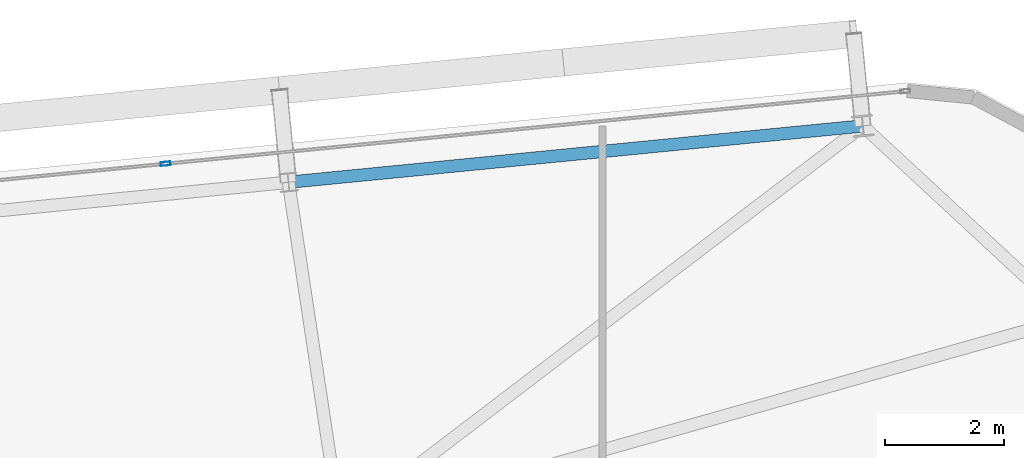
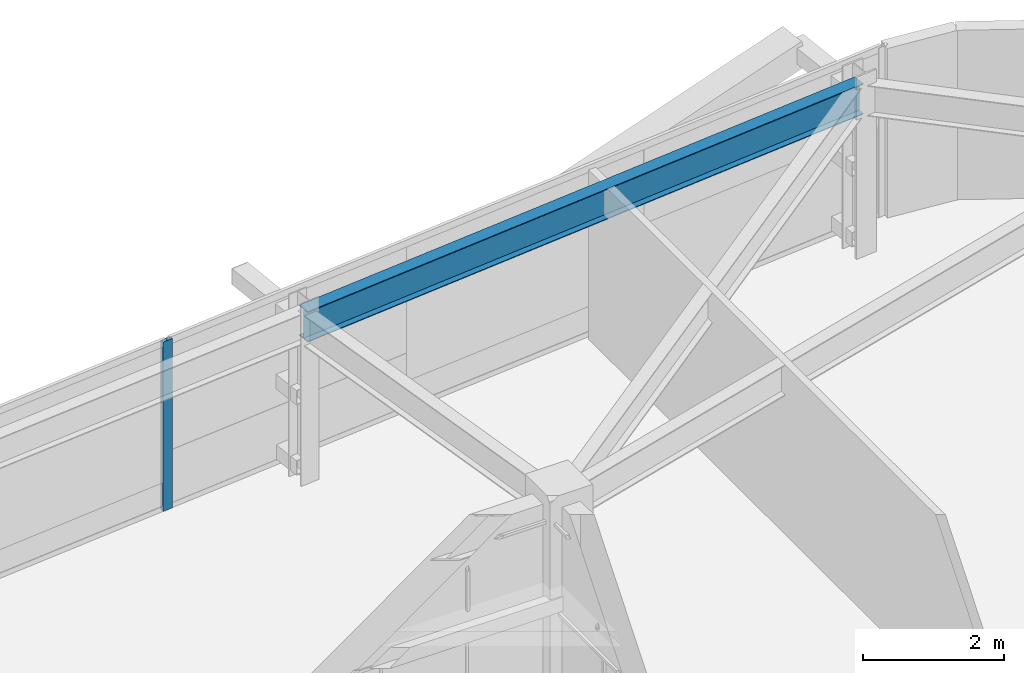
# One storey, part 29 of 47: 1 beam, 1 member, 1 element without a shape of its own.
"""IFC4 building model written with IfcOpenShell, lengths in metres."""

import ifcopenshell
import ifcopenshell.guid

model = None  # the IFC model being written
_history = None  # IfcOwnerHistory: only IFC2X3 demands one
_inside = {}  # id of a spatial element -> (the spatial element, [elements in it])
_under = {}  # id of a project, library or spatial element -> (it, [spatial elements below it])
_declared = {}  # id of a project -> (the project, [libraries it declares])
_typed = {}  # id of a type object -> (the type object, [elements of that type])
_made_of = {}  # id of a material, layer set ... -> (it, [elements and type objects made of it])


def new_model(schema):
    """Start an empty IFC model of exactly this schema.

    Asked for "IFC4X3", IfcOpenShell would pick the latest addendum, in which some entities
    have other attributes; the version numbers below select the first issue.
    IFC2X3 requires an IfcOwnerHistory on every rooted entity: one is made here for all.
    """
    global model, _history
    if schema == "IFC4X3":
        model = ifcopenshell.file(schema_version=(4, 3, 0, 0))
    else:
        model = ifcopenshell.file(schema=schema)
    _inside.clear()
    _under.clear()
    _declared.clear()
    _typed.clear()
    _made_of.clear()
    _history = None
    if model.schema == "IFC2X3":
        org = make("IfcOrganization", Name="unknown")
        user = make(
            "IfcPersonAndOrganization",
            ThePerson=make("IfcPerson", FamilyName="unknown"),
            TheOrganization=org,
        )
        app = make(
            "IfcApplication",
            ApplicationDeveloper=org,
            Version="unknown",
            ApplicationFullName="unknown",
            ApplicationIdentifier="unknown",
        )
        _history = make(
            "IfcOwnerHistory",
            OwningUser=user,
            OwningApplication=app,
            ChangeAction="ADDED",
            CreationDate=0,
        )
    return model


def make(cls, **values):
    """One entity of the class cls with the attributes given. An attribute that is None is left unset."""
    return model.create_entity(
        cls, **{name: value for name, value in values.items() if value is not None}
    )


def rooted(cls, **values):
    """An entity with a GlobalId (a new one), such as an element, a storey or a relation."""
    return make(cls, GlobalId=ifcopenshell.guid.new(), OwnerHistory=_history, **values)


def si_unit(unit_type, name, prefix=None):
    """IfcSIUnit, for example si_unit("LENGTHUNIT", "METRE", prefix="MILLI")."""
    return make("IfcSIUnit", UnitType=unit_type, Prefix=prefix, Name=name)


def assignment(units):
    """IfcUnitAssignment: the units of a project."""
    return None if units is None else make("IfcUnitAssignment", Units=units)


def point(xyz):
    """IfcCartesianPoint."""
    return None if xyz is None else make("IfcCartesianPoint", Coordinates=xyz)


def direction(xyz):
    """IfcDirection."""
    return None if xyz is None else make("IfcDirection", DirectionRatios=xyz)


def frame(location, z_axis=None, x_axis=None):
    """IfcAxis2Placement3D, a coordinate frame: its origin and axes. An axis left out is left unset."""
    return make(
        "IfcAxis2Placement3D",
        Location=point(location),
        Axis=direction(z_axis),
        RefDirection=direction(x_axis),
    )


def frame_2d(location, x_axis=None):
    """IfcAxis2Placement2D, a coordinate frame in the plane: its origin and x axis."""
    return make(
        "IfcAxis2Placement2D", Location=point(location), RefDirection=direction(x_axis)
    )


def origin():
    """The frame at (0, 0, 0) with its axes left unset."""
    return frame((0.0, 0.0, 0.0))


def origin_2d():
    """The frame at (0, 0) in the plane with its x axis left unset."""
    return frame_2d((0.0, 0.0))


def place(relative_to, where):
    """IfcLocalPlacement: puts the frame where relative to a parent placement (None: the world)."""
    return make(
        "IfcLocalPlacement", PlacementRelTo=relative_to, RelativePlacement=where
    )


def context(
    kind, dimensions, precision=None, world=None, true_north=None, identifier=None
):
    """IfcGeometricRepresentationContext, for example the 3D "Model" context."""
    return make(
        "IfcGeometricRepresentationContext",
        ContextIdentifier=identifier,
        ContextType=kind,
        CoordinateSpaceDimension=dimensions,
        Precision=precision,
        WorldCoordinateSystem=world,
        TrueNorth=true_north,
    )


def subcontext(parent, identifier, kind, view, scale=None):
    """IfcGeometricRepresentationSubContext, for example "Body" below "Model"."""
    return make(
        "IfcGeometricRepresentationSubContext",
        ContextIdentifier=identifier,
        ContextType=kind,
        ParentContext=parent,
        TargetScale=scale,
        TargetView=view,
    )


def project(units=None, contexts=None):
    """IfcProject with its units and contexts."""
    return rooted(
        "IfcProject",
        Name="project",
        RepresentationContexts=contexts,
        UnitsInContext=assignment(units),
    )


def spatial(cls, under=None, at=None, **own):
    """A site, building, storey or space (cls), placed at a placement, below another one or the project."""
    s = rooted(cls, ObjectPlacement=at, **own)
    if under is not None:
        _under.setdefault(under.id(), (under, []))[1].append(s)
    return s


def profile(cls, at=None, kind="AREA", **sizes):
    """A parametric profile (cls). Its sizes go by their IFC names, for example OverallWidth=200.0."""
    return make(cls, ProfileType=kind, Position=at, **sizes)


def hollow_rectangle(**sizes):
    """IfcRectangleHollowProfileDef."""
    return profile("IfcRectangleHollowProfileDef", **sizes)


def i_section(**sizes):
    """IfcIShapeProfileDef."""
    return profile("IfcIShapeProfileDef", **sizes)


def extrude(swept, where, along, depth):
    """IfcExtrudedAreaSolid: the profile swept, set in the frame where, extruded along a direction by depth."""
    return make(
        "IfcExtrudedAreaSolid",
        SweptArea=swept,
        Position=where,
        ExtrudedDirection=direction(along),
        Depth=depth,
    )


def shape(context_of_items, identifier, shape_type, items):
    """IfcShapeRepresentation: the items that make up one representation, for example the "Body"."""
    return make(
        "IfcShapeRepresentation",
        ContextOfItems=context_of_items,
        RepresentationIdentifier=identifier,
        RepresentationType=shape_type,
        Items=items,
    )


def source(mapping_origin, context_of_items, identifier, shape_type, items):
    """IfcRepresentationMap: a shape defined once, which mapped items show again and again."""
    return make(
        "IfcRepresentationMap",
        MappingOrigin=mapping_origin,
        MappedRepresentation=shape(context_of_items, identifier, shape_type, items),
    )


def transform(
    local_origin,
    x_axis=None,
    y_axis=None,
    z_axis=None,
    scale=None,
    scale2=None,
    scale3=None,
    uniform=True,
):
    """IfcCartesianTransformationOperator3D, or its non-uniform kind. x_axis, y_axis, z_axis: its Axis1, 2, 3."""
    if uniform:
        return make(
            "IfcCartesianTransformationOperator3D",
            Axis1=direction(x_axis),
            Axis2=direction(y_axis),
            LocalOrigin=point(local_origin),
            Scale=scale,
            Axis3=direction(z_axis),
        )
    return make(
        "IfcCartesianTransformationOperator3DnonUniform",
        Axis1=direction(x_axis),
        Axis2=direction(y_axis),
        LocalOrigin=point(local_origin),
        Scale=scale,
        Axis3=direction(z_axis),
        Scale2=scale2,
        Scale3=scale3,
    )


def mapped(mapping_source, mapping_target):
    """IfcMappedItem: shows the shape of a source again, moved by a transform."""
    return make(
        "IfcMappedItem", MappingSource=mapping_source, MappingTarget=mapping_target
    )


def material(Name=None, Category=None):
    """IfcMaterial."""
    return make("IfcMaterial", Name=Name, Category=Category)


def layer(
    of_material, thickness, ventilated=None, Name=None, Category=None, Priority=None
):
    """IfcMaterialLayer: one layer of a wall or slab, of a material (None: an air gap)."""
    return make(
        "IfcMaterialLayer",
        Material=of_material,
        LayerThickness=thickness,
        IsVentilated=ventilated,
        Name=Name,
        Category=Category,
        Priority=Priority,
    )


def layer_set(layers, Name=None):
    """IfcMaterialLayerSet."""
    return make("IfcMaterialLayerSet", MaterialLayers=layers, LayerSetName=Name)


def material_profile(
    of_material, cross_section, Name=None, Category=None, Priority=None
):
    """IfcMaterialProfile: a cross section and its material."""
    return make(
        "IfcMaterialProfile",
        Name=Name,
        Material=of_material,
        Profile=cross_section,
        Priority=Priority,
        Category=Category,
    )


def profile_set(profiles, Name=None, composite=None):
    """IfcMaterialProfileSet."""
    return make(
        "IfcMaterialProfileSet",
        Name=Name,
        MaterialProfiles=profiles,
        CompositeProfile=composite,
    )


def made_of(thing, what):
    """Note that an element or type object is made of a material, layer set ...; save() writes the relation."""
    if what is not None:
        _made_of.setdefault(what.id(), (what, []))[1].append(thing)
    return thing


def type_object(cls, material=None, **own):
    """A type object (cls), such as IfcWallType, which elements share."""
    return made_of(rooted(cls, **own), material)


def element(
    cls,
    number,
    at=None,
    inside=None,
    cuts=None,
    type_object=None,
    material=None,
    context=None,
    identifier="Body",
    shape_type=None,
    held_by="IfcProductDefinitionShape",
    body=None,
    shapes=None,
    **own,
):
    """One element of the class cls, such as IfcWall. Its Tag is "e" and its number.

    at: its placement. inside: the storey or other place that contains it. cuts: it is an
    opening in that element (IfcRelVoidsElement). A single representation is given by context,
    identifier, shape_type and body (its items); several are given by shapes. held_by: the class
    of the entity that holds the representations. save() writes the other relations.
    """
    e = rooted(cls, Tag="e%d" % number, ObjectPlacement=at, **own)
    if body is not None:
        shapes = [shape(context, identifier, shape_type, body)]
    if shapes is not None:
        e.Representation = make(held_by, Representations=shapes)
    if inside is not None:
        _inside.setdefault(inside.id(), (inside, []))[1].append(e)
    if cuts is not None:
        rooted(
            "IfcRelVoidsElement", RelatingBuildingElement=cuts, RelatedOpeningElement=e
        )
    if type_object is not None:
        _typed.setdefault(type_object.id(), (type_object, []))[1].append(e)
    return made_of(e, material)


def aggregate(whole, parts):
    """IfcRelAggregates: a whole, such as a stair, and the parts it consists of."""
    return rooted("IfcRelAggregates", RelatingObject=whole, RelatedObjects=parts)


def save(model, path):
    """Write the relations noted so far, then the file.

    IfcRelAggregates (storeys below a building ...), IfcRelContainedInSpatialStructure (elements
    in a storey), IfcRelDefinesByType, IfcRelAssociatesMaterial and IfcRelDeclares: one each for
    every whole, place, type object, material and project.
    """
    for whole, parts in _under.values():
        aggregate(whole, parts)
    for where, things in _inside.values():
        rooted(
            "IfcRelContainedInSpatialStructure",
            RelatedElements=things,
            RelatingStructure=where,
        )
    for kind, things in _typed.values():
        rooted("IfcRelDefinesByType", RelatedObjects=things, RelatingType=kind)
    for what, things in _made_of.values():
        rooted("IfcRelAssociatesMaterial", RelatedObjects=things, RelatingMaterial=what)
    for by, libraries in _declared.values():
        rooted("IfcRelDeclares", RelatingContext=by, RelatedDefinitions=libraries)
    model.write(path)


model = new_model("IFC4")

# Units and contexts
model_context = context("Model", 3, precision=1e-05, world=origin(), true_north=direction((0.0, 1.0)))
body_context = subcontext(model_context, "Body", "Model", "MODEL_VIEW")
ifc_project = project(units=[si_unit("LENGTHUNIT", "METRE"), si_unit("AREAUNIT", "SQUARE_METRE"), si_unit("VOLUMEUNIT", "CUBIC_METRE"), si_unit("PLANEANGLEUNIT", "RADIAN"), si_unit("MASSUNIT", "GRAM", prefix="KILO")], contexts=[model_context])

# Site, building, storey
site_placement = place(None, origin())
site = spatial("IfcSite", under=ifc_project, at=site_placement, CompositionType="ELEMENT")
building_placement = place(site_placement, origin())
building = spatial("IfcBuilding", under=site, at=building_placement, Name="Taldren Reach Tower", CompositionType="ELEMENT")
storey_placement = place(building_placement, frame((0.0, 0.0, 87.14990234375)))
storey = spatial("IfcBuildingStorey", under=building, at=storey_placement, Name="L26", CompositionType="ELEMENT", Elevation=87.14990234375)

# Beam
ifc_material_1 = material(Name="Steel Gr 350 (350PLUS)", Category="steel")
ifc_material_profile_1 = material_profile(ifc_material_1, i_section(OverallWidth=0.208984375, OverallDepth=0.528076171875, WebThickness=0.009521484375, FlangeThickness=0.01318359375, at=origin_2d()), Name="530UB82.0")
ifc_profile_set_1 = profile_set([ifc_material_profile_1], Name="Steel Gr 350 (350PLUS)")
beam_type = type_object("IfcBeamType", Name="SP-UB530B", PredefinedType="SPANDREL", material=ifc_profile_set_1)
shared_shape_1 = source(origin(), body_context, "Body", "SweptSolid", [
    extrude(i_section(OverallWidth=0.208984375, OverallDepth=0.528076171875, WebThickness=0.009521484375, FlangeThickness=0.01318359375, at=origin_2d()), origin(), (0.0, 0.0, 1.0), 9.679931640625),
])
beam_placement = place(storey_placement, frame((59.765869140625, 38.679931640625, 2.666015625), z_axis=(-0.995227612658, -0.097580730699, 0.0), x_axis=(0.097580730699, -0.995227612658, 0.0)))
element("IfcBeam", 1, at=beam_placement, inside=storey, type_object=beam_type, Name="Perimeter spandrel B2 N6-N5 L26", PredefinedType="SPANDREL", context=body_context, shape_type="MappedRepresentation", body=[
    mapped(shared_shape_1, transform((0.0, 0.0, 0.0), scale=1.0)),
])

# Curtain wall, member
ifc_material_2 = material(Name="Aluminium and Low-E Glass Unitised System", Category="aluminium")
ifc_layer = layer(ifc_material_2, 0.159912109375)
ifc_layer_set = layer_set([ifc_layer], Name="Aluminium and Low-E Glass Unitised System")
curtain_wall_type = type_object("IfcCurtainWallType", Name="CW-SYS-3", PredefinedType="NOTDEFINED", material=ifc_layer_set)
curtain_wall_placement = place(storey_placement, origin())
curtain_wall = element("IfcCurtainWall", 2, at=curtain_wall_placement, inside=storey, type_object=curtain_wall_type, Name="Unitised curtain wall CW-L26-N", PredefinedType="NOTDEFINED")
ifc_material_3 = material(Name="Anodised Aluminium 6063-T6", Category="aluminium")
ifc_material_profile_2 = material_profile(ifc_material_3, hollow_rectangle(XDim=0.06494140625, YDim=0.1650390625, WallThickness=0.00390625, at=origin_2d()), Name="ALU-165x65x4RHS")
ifc_profile_set_2 = profile_set([ifc_material_profile_2], Name="Anodised Aluminium 6063-T6")
member_type = type_object("IfcMemberType", Name="CW-MUL-165", PredefinedType="MULLION", material=ifc_profile_set_2)
shared_shape_2 = source(origin(), body_context, "Body", "SweptSolid", [
    extrude(hollow_rectangle(XDim=0.06494140625, YDim=0.1650390625, WallThickness=0.00390625, at=origin_2d()), origin(), (0.0, 0.0, 1.0), 2.93017578125),
])
member_placement = place(storey_placement, frame((48.072021484375, 38.045654296875, 0.0), z_axis=(0.0, 0.0, 1.0), x_axis=(0.097582999046, -0.995227390247, 0.0)))
member = element("IfcMember", 3, at=member_placement, type_object=member_type, Name="CW-3 mullion 2", PredefinedType="MULLION", context=body_context, shape_type="MappedRepresentation", body=[
    mapped(shared_shape_2, transform((0.0, 0.0, 0.0), scale=1.0)),
])
aggregate(curtain_wall, [member])

save(model, "model.ifc")
